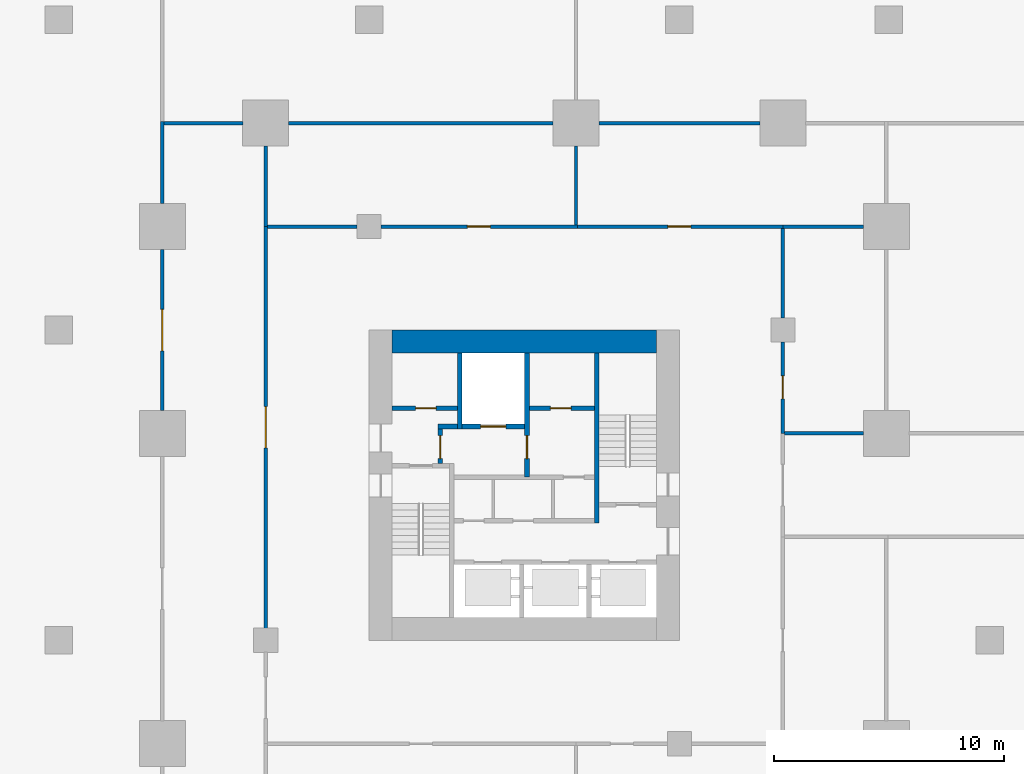
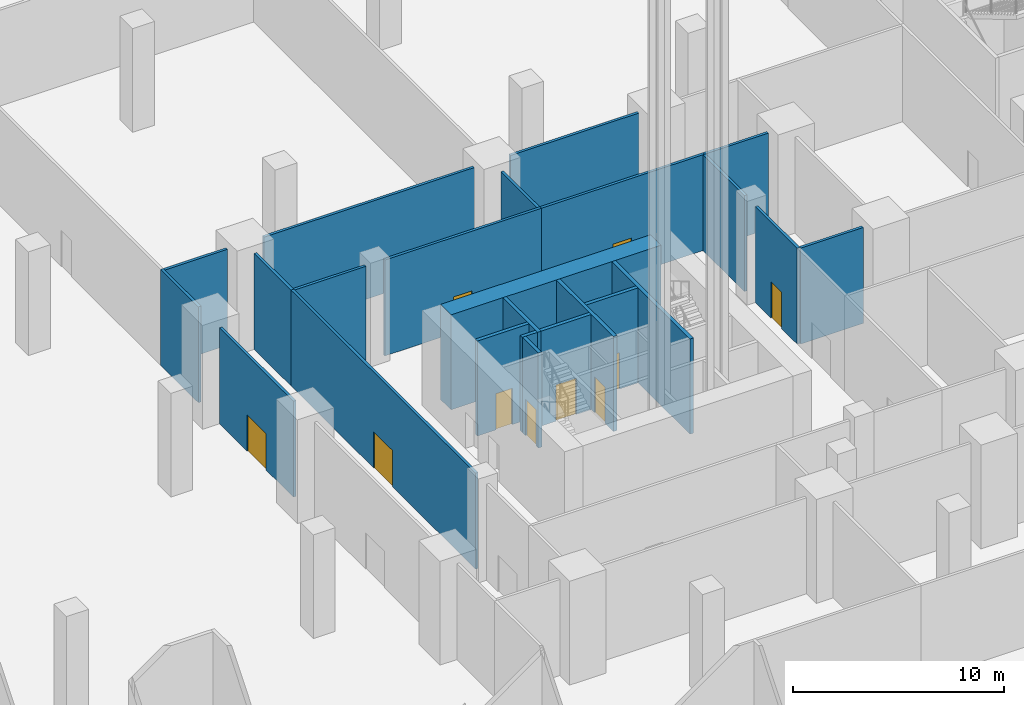
# One storey, part 29 of 68: 24 walls, 10 doors, 10 openings.
"""IFC4 building model written with IfcOpenShell, lengths in metres."""

from ifc_helpers import new_model, si_unit, direction, frame, frame_2d, origin, place, context, subcontext, project, spatial, rectangle, extrude, material, layer, layer_set, type_object, element, fill, save


model = new_model("IFC4")

# Units and contexts
model_context = context("Model", 3, precision=1e-05, world=origin(), true_north=direction((0.0, 1.0)))
body_context = subcontext(model_context, "Body", "Model", "MODEL_VIEW")
ifc_project = project(units=[si_unit("LENGTHUNIT", "METRE"), si_unit("AREAUNIT", "SQUARE_METRE"), si_unit("VOLUMEUNIT", "CUBIC_METRE"), si_unit("PLANEANGLEUNIT", "RADIAN"), si_unit("MASSUNIT", "GRAM", prefix="KILO")], contexts=[model_context])

# Site, building, storey
site_placement = place(None, origin())
site = spatial("IfcSite", under=ifc_project, at=site_placement, CompositionType="ELEMENT")
building_placement = place(site_placement, origin())
building = spatial("IfcBuilding", under=site, at=building_placement, Name="Altepetl Exchange Towers", CompositionType="ELEMENT")
storey_placement = place(building_placement, origin())
storey = spatial("IfcBuildingStorey", under=building, at=storey_placement, Name="L00 Ground concourse", CompositionType="ELEMENT", Elevation=0.0)

# Walls
ifc_material_1 = material(Name="Concrete C70/85", Category="concrete")
ifc_layer_1 = layer(ifc_material_1, 1.0)
ifc_layer_set_1 = layer_set([ifc_layer_1], Name="Concrete C70/85")
wall_type_1 = type_object("IfcWallType", Name="Core wall 1000 reinforced concrete", PredefinedType="SHEAR", material=ifc_layer_set_1)
wall_1_placement = place(storey_placement, frame((104.5, 49.0, 0.0)))
element("IfcWall", 1, at=wall_1_placement, inside=storey, type_object=wall_type_1, Name="wall:B:L00:K-coreN", PredefinedType="SHEAR", context=body_context, shape_type="SweptSolid", body=[
    extrude(rectangle(XDim=11.5, YDim=1.0, at=frame_2d((5.75, 0.0))), origin(), (0.0, 0.0, 1.0), 5.5),
])
ifc_material_2 = material(Name="Concrete blockwork", Category="masonry")
ifc_layer_2 = layer(ifc_material_2, 0.199951171875)
ifc_layer_set_2 = layer_set([ifc_layer_2], Name="Concrete blockwork")
wall_type_2 = type_object("IfcWallType", Name="Lobby wall 200 blockwork", PredefinedType="PARTITIONING", material=ifc_layer_set_2)
wall_2_placement = place(storey_placement, frame((106.5, 45.300048828125, 0.0)))
element("IfcWall", 2, at=wall_2_placement, inside=storey, type_object=wall_type_2, Name="wall:B:L00:K-ffNw", PredefinedType="PARTITIONING", context=body_context, shape_type="SweptSolid", body=[
    extrude(rectangle(XDim=0.833251953125, YDim=0.199951171875, at=frame_2d((0.41650390625, 0.0))), origin(), (0.0, 0.0, 1.0), 5.5),
])

# Wall, opening, door
wall_3_placement = place(storey_placement, frame((106.60009765625, 43.699951171875, 0.0), z_axis=(0.0, 0.0, 1.0), x_axis=(0.0, 1.0, 0.0)))
wall_3 = element("IfcWall", 3, at=wall_3_placement, inside=storey, type_object=wall_type_2, Name="wall:B:L00:K-ffW", PredefinedType="PARTITIONING", context=body_context, shape_type="SweptSolid", body=[
    extrude(rectangle(XDim=1.5, YDim=0.199951171875, at=frame_2d((0.75, 0.0))), origin(), (0.0, 0.0, 1.0), 5.5),
])
opening_1_placement = place(wall_3_placement, frame((0.199951171875, 0.0, 0.0)))
opening_1 = element("IfcOpeningElement", 4, at=opening_1_placement, cuts=wall_3, Name="Opening L00.B67", PredefinedType="OPENING", context=body_context, shape_type="SweptSolid", body=[
    extrude(rectangle(XDim=1.0, YDim=2.10009765625, at=frame_2d((0.5, 1.050048828125))), frame((0.0, 0.10986328125, 0.0), z_axis=(0.0, -1.0, 0.0), x_axis=(1.0, 0.0, 0.0)), (0.0, 0.0, 1.0), 0.219970703125),
])
ifc_material_3 = material(Name="Steel and timber fire door", Category="steel")
door_type_1 = type_object("IfcDoorType", Name="Fire door 1000 x 2100 stair and lobby", OperationType="SINGLE_SWING_LEFT", PredefinedType="DOOR", material=ifc_material_3)
door_1_placement = place(opening_1_placement, frame((1.0, 0.0, 0.0), x_axis=(-1.0, 0.0, 0.0)))
door_1 = element("IfcDoor", 5, at=door_1_placement, inside=storey, type_object=door_type_1, Name="door:B:L00:K-dffW", OperationType="SINGLE_SWING_LEFT", OverallHeight=2.10009765625, OverallWidth=1.0, PredefinedType="DOOR", context=body_context, shape_type="SweptSolid", body=[
    extrude(rectangle(XDim=1.0, YDim=2.10009765625, at=frame_2d((0.5, 1.050048828125))), frame((0.0, 0.02490234375, 0.0), z_axis=(0.0, -1.0, 0.0), x_axis=(1.0, 0.0, 0.0)), (0.0, 0.0, 1.0), 0.050048828125),
])
fill(opening_1, door_1)

ifc_material_4 = material(Name="Gypsum board on steel studs", Category="steel")
ifc_layer_3 = layer(ifc_material_4, 0.14990234375)
ifc_layer_set_3 = layer_set([ifc_layer_3], Name="Gypsum board on steel studs")
wall_type_3 = type_object("IfcWallType", Name="Podium partition 150", PredefinedType="PARTITIONING", material=ifc_layer_set_3)
wall_4_placement = place(storey_placement, frame((94.5, 45.9951171875, 0.0), z_axis=(0.0, 0.0, 1.0), x_axis=(0.0, 1.0, 0.0)))
wall_4 = element("IfcWall", 6, at=wall_4_placement, inside=storey, type_object=wall_type_3, Name="wall:P:L00:P025", PredefinedType="PARTITIONING", context=body_context, shape_type="SweptSolid", body=[
    extrude(rectangle(XDim=7.009765625, YDim=0.14990234375, at=frame_2d((3.5048828125, 0.0))), origin(), (0.0, 0.0, 1.0), 5.550048828125),
])
opening_2_placement = place(wall_4_placement, frame((2.60009765625, 0.0, 0.0)))
opening_2 = element("IfcOpeningElement", 7, at=opening_2_placement, cuts=wall_4, Name="Opening L00.P073", PredefinedType="OPENING", context=body_context, shape_type="SweptSolid", body=[
    extrude(rectangle(XDim=1.800048828125, YDim=2.10009765625, at=frame_2d((0.89990234375, 1.050048828125))), frame((0.0, 0.0849609375, 0.0), z_axis=(0.0, -1.0, 0.0), x_axis=(1.0, 0.0, 0.0)), (0.0, 0.0, 1.0), 0.169921875),
])
ifc_material_5 = material(Name="Glazed aluminium and steel", Category="steel")
door_type_2 = type_object("IfcDoorType", Name="Podium fire door 1800 x 2100 double leaf", OperationType="DOUBLE_DOOR_SINGLE_SWING", PredefinedType="DOOR", material=ifc_material_5)
door_2_placement = place(opening_2_placement, frame((1.800048828125, 0.0, 0.0), x_axis=(-1.0, 0.0, 0.0)))
door_2 = element("IfcDoor", 8, at=door_2_placement, inside=storey, type_object=door_type_2, Name="door:P:L00:073", OperationType="DOUBLE_DOOR_SINGLE_SWING", OverallHeight=2.10009765625, OverallWidth=1.800048828125, PredefinedType="DOOR", context=body_context, shape_type="SweptSolid", body=[
    extrude(rectangle(XDim=1.800048828125, YDim=2.10009765625, at=frame_2d((0.89990234375, 1.050048828125))), frame((0.0, 0.02490234375, 0.0), z_axis=(0.0, -1.0, 0.0), x_axis=(1.0, 0.0, 0.0)), (0.0, 0.0, 1.0), 0.050048828125),
])
fill(opening_2, door_2)

# Wall
wall_5_placement = place(storey_placement, frame((94.5, 54.9951171875, 0.0), z_axis=(0.0, 0.0, 1.0), x_axis=(0.0, 1.0, 0.0)))
element("IfcWall", 9, at=wall_5_placement, inside=storey, type_object=wall_type_3, Name="wall:P:L00:P026", PredefinedType="PARTITIONING", context=body_context, shape_type="SweptSolid", body=[
    extrude(rectangle(XDim=3.579833984375, YDim=0.14990234375, at=frame_2d((1.7900390625, 0.0))), origin(), (0.0, 0.0, 1.0), 5.550048828125),
])

# Wall, opening, door
wall_6_placement = place(storey_placement, frame((99.0, 36.52001953125, 0.0), z_axis=(0.0, 0.0, 1.0), x_axis=(0.0, 1.0, 0.0)))
wall_6 = element("IfcWall", 10, at=wall_6_placement, inside=storey, type_object=wall_type_3, Name="wall:P:L00:P180", PredefinedType="PARTITIONING", context=body_context, shape_type="SweptSolid", body=[
    extrude(rectangle(XDim=17.554931640625, YDim=0.14990234375, at=frame_2d((8.77734375, 0.0))), origin(), (0.0, 0.0, 1.0), 5.550048828125),
])
opening_3_placement = place(wall_6_placement, frame((7.85009765625, 0.0, 0.0)))
opening_3 = element("IfcOpeningElement", 11, at=opening_3_placement, cuts=wall_6, Name="Opening L00.P087", PredefinedType="OPENING", context=body_context, shape_type="SweptSolid", body=[
    extrude(rectangle(XDim=1.800048828125, YDim=2.10009765625, at=frame_2d((0.89990234375, 1.050048828125))), frame((0.0, 0.0849609375, 0.0), z_axis=(0.0, -1.0, 0.0), x_axis=(1.0, 0.0, 0.0)), (0.0, 0.0, 1.0), 0.169921875),
])
door_3_placement = place(opening_3_placement, origin())
door_3 = element("IfcDoor", 12, at=door_3_placement, inside=storey, type_object=door_type_2, Name="door:P:L00:087", OperationType="DOUBLE_DOOR_SINGLE_SWING", OverallHeight=2.10009765625, OverallWidth=1.800048828125, PredefinedType="DOOR", context=body_context, shape_type="SweptSolid", body=[
    extrude(rectangle(XDim=1.800048828125, YDim=2.10009765625, at=frame_2d((0.89990234375, 1.050048828125))), frame((0.0, 0.02490234375, 0.0), z_axis=(0.0, -1.0, 0.0), x_axis=(1.0, 0.0, 0.0)), (0.0, 0.0, 1.0), 0.050048828125),
])
fill(opening_3, door_3)

# Walls
wall_7_placement = place(storey_placement, frame((99.0, 54.0, 0.0), z_axis=(0.0, 0.0, 1.0), x_axis=(0.0, 1.0, 0.0)))
element("IfcWall", 13, at=wall_7_placement, inside=storey, type_object=wall_type_3, Name="wall:P:L00:P182", PredefinedType="PARTITIONING", context=body_context, shape_type="SweptSolid", body=[
    extrude(rectangle(XDim=3.5048828125, YDim=0.14990234375, at=frame_2d((1.75244140625, 0.0))), origin(), (0.0, 0.0, 1.0), 5.550048828125),
])
wall_8_placement = place(storey_placement, frame((94.574951171875, 58.5, 0.0)))
element("IfcWall", 14, at=wall_8_placement, inside=storey, type_object=wall_type_3, Name="wall:P:L00:P184", PredefinedType="PARTITIONING", context=body_context, shape_type="SweptSolid", body=[
    extrude(rectangle(XDim=3.429931640625, YDim=0.14990234375, at=frame_2d((1.71484375, 0.0))), origin(), (0.0, 0.0, 1.0), 5.550048828125),
])
wall_9_placement = place(storey_placement, frame((99.074951171875, 54.0, 0.0)))
element("IfcWall", 15, at=wall_9_placement, inside=storey, type_object=wall_type_3, Name="wall:P:L00:P188", PredefinedType="PARTITIONING", context=body_context, shape_type="SweptSolid", body=[
    extrude(rectangle(XDim=3.905029296875, YDim=0.14990234375, at=frame_2d((1.95263671875, 0.0))), origin(), (0.0, 0.0, 1.0), 5.550048828125),
])

# Wall, opening, door
wall_10_placement = place(storey_placement, frame((104.02001953125, 54.0, 0.0)))
wall_10 = element("IfcWall", 16, at=wall_10_placement, inside=storey, type_object=wall_type_3, Name="wall:P:L00:P189", PredefinedType="PARTITIONING", context=body_context, shape_type="SweptSolid", body=[
    extrude(rectangle(XDim=8.554931640625, YDim=0.14990234375, at=frame_2d((4.27734375, 0.0))), origin(), (0.0, 0.0, 1.0), 5.550048828125),
])
opening_4_placement = place(wall_10_placement, frame((3.75, 0.0, 0.0)))
opening_4 = element("IfcOpeningElement", 17, at=opening_4_placement, cuts=wall_10, Name="Opening L00.P032", PredefinedType="OPENING", context=body_context, shape_type="SweptSolid", body=[
    extrude(rectangle(XDim=1.0, YDim=2.10009765625, at=frame_2d((0.5, 1.050048828125))), frame((0.0, 0.0849609375, 0.0), z_axis=(0.0, -1.0, 0.0), x_axis=(1.0, 0.0, 0.0)), (0.0, 0.0, 1.0), 0.169921875),
])
door_type_3 = type_object("IfcDoorType", Name="Podium fire door 1000 x 2100 single leaf", OperationType="SINGLE_SWING_LEFT", PredefinedType="DOOR", material=ifc_material_3)
door_4_placement = place(opening_4_placement, origin())
door_4 = element("IfcDoor", 18, at=door_4_placement, inside=storey, type_object=door_type_3, Name="door:P:L00:032", OperationType="SINGLE_SWING_RIGHT", OverallHeight=2.10009765625, OverallWidth=1.0, PredefinedType="DOOR", context=body_context, shape_type="SweptSolid", body=[
    extrude(rectangle(XDim=1.0, YDim=2.10009765625, at=frame_2d((0.5, 1.050048828125))), frame((0.0, 0.02490234375, 0.0), z_axis=(0.0, -1.0, 0.0), x_axis=(1.0, 0.0, 0.0)), (0.0, 0.0, 1.0), 0.050048828125),
])
fill(opening_4, door_4)

wall_11_placement = place(storey_placement, frame((112.5, 54.0, 0.0)))
wall_11 = element("IfcWall", 19, at=wall_11_placement, inside=storey, type_object=wall_type_3, Name="wall:P:L00:P190", PredefinedType="PARTITIONING", context=body_context, shape_type="SweptSolid", body=[
    extrude(rectangle(XDim=9.074951171875, YDim=0.14990234375, at=frame_2d((4.53759765625, 0.0))), origin(), (0.0, 0.0, 1.0), 5.550048828125),
])
opening_5_placement = place(wall_11_placement, frame((4.0, 0.0, 0.0)))
opening_5 = element("IfcOpeningElement", 20, at=opening_5_placement, cuts=wall_11, Name="Opening L00.P033", PredefinedType="OPENING", context=body_context, shape_type="SweptSolid", body=[
    extrude(rectangle(XDim=1.0, YDim=2.10009765625, at=frame_2d((0.5, 1.050048828125))), frame((0.0, 0.0849609375, 0.0), z_axis=(0.0, -1.0, 0.0), x_axis=(1.0, 0.0, 0.0)), (0.0, 0.0, 1.0), 0.169921875),
])
door_5_placement = place(opening_5_placement, origin())
door_5 = element("IfcDoor", 21, at=door_5_placement, inside=storey, type_object=door_type_3, Name="door:P:L00:033", OperationType="SINGLE_SWING_RIGHT", OverallHeight=2.10009765625, OverallWidth=1.0, PredefinedType="DOOR", context=body_context, shape_type="SweptSolid", body=[
    extrude(rectangle(XDim=1.0, YDim=2.10009765625, at=frame_2d((0.5, 1.050048828125))), frame((0.0, 0.02490234375, 0.0), z_axis=(0.0, -1.0, 0.0), x_axis=(1.0, 0.0, 0.0)), (0.0, 0.0, 1.0), 0.050048828125),
])
fill(opening_5, door_5)

wall_12_placement = place(storey_placement, frame((121.5, 45.0, 0.0), z_axis=(0.0, 0.0, 1.0), x_axis=(0.0, 1.0, 0.0)))
wall_12 = element("IfcWall", 22, at=wall_12_placement, inside=storey, type_object=wall_type_3, Name="wall:P:L00:P193", PredefinedType="PARTITIONING", context=body_context, shape_type="SweptSolid", body=[
    extrude(rectangle(XDim=3.97998046875, YDim=0.14990234375, at=frame_2d((1.989990234375, 0.0))), origin(), (0.0, 0.0, 1.0), 5.550048828125),
])
opening_6_placement = place(wall_12_placement, frame((1.5, 0.0, 0.0)))
opening_6 = element("IfcOpeningElement", 23, at=opening_6_placement, cuts=wall_12, Name="Opening L00.P035", PredefinedType="OPENING", context=body_context, shape_type="SweptSolid", body=[
    extrude(rectangle(XDim=1.0, YDim=2.10009765625, at=frame_2d((0.5, 1.050048828125))), frame((0.0, 0.0849609375, 0.0), z_axis=(0.0, -1.0, 0.0), x_axis=(1.0, 0.0, 0.0)), (0.0, 0.0, 1.0), 0.169921875),
])
door_6_placement = place(opening_6_placement, frame((1.0, 0.0, 0.0), x_axis=(-1.0, 0.0, 0.0)))
door_6 = element("IfcDoor", 24, at=door_6_placement, inside=storey, type_object=door_type_3, Name="door:P:L00:035", OperationType="SINGLE_SWING_LEFT", OverallHeight=2.10009765625, OverallWidth=1.0, PredefinedType="DOOR", context=body_context, shape_type="SweptSolid", body=[
    extrude(rectangle(XDim=1.0, YDim=2.10009765625, at=frame_2d((0.5, 1.050048828125))), frame((0.0, 0.02490234375, 0.0), z_axis=(0.0, -1.0, 0.0), x_axis=(1.0, 0.0, 0.0)), (0.0, 0.0, 1.0), 0.050048828125),
])
fill(opening_6, door_6)

# Walls
wall_13_placement = place(storey_placement, frame((121.5, 50.02001953125, 0.0), z_axis=(0.0, 0.0, 1.0), x_axis=(0.0, 1.0, 0.0)))
element("IfcWall", 25, at=wall_13_placement, inside=storey, type_object=wall_type_3, Name="wall:P:L00:P194", PredefinedType="PARTITIONING", context=body_context, shape_type="SweptSolid", body=[
    extrude(rectangle(XDim=3.905029296875, YDim=0.14990234375, at=frame_2d((1.95263671875, 0.0))), origin(), (0.0, 0.0, 1.0), 5.550048828125),
])
wall_14_placement = place(storey_placement, frame((112.5, 54.074951171875, 0.0), z_axis=(0.0, 0.0, 1.0), x_axis=(0.0, 1.0, 0.0)))
element("IfcWall", 26, at=wall_14_placement, inside=storey, type_object=wall_type_3, Name="wall:P:L00:P201", PredefinedType="PARTITIONING", context=body_context, shape_type="SweptSolid", body=[
    extrude(rectangle(XDim=3.429931640625, YDim=0.14990234375, at=frame_2d((1.71484375, 0.0))), origin(), (0.0, 0.0, 1.0), 5.550048828125),
])
wall_15_placement = place(storey_placement, frame((99.9951171875, 58.5, 0.0)))
element("IfcWall", 27, at=wall_15_placement, inside=storey, type_object=wall_type_3, Name="wall:P:L00:P202", PredefinedType="PARTITIONING", context=body_context, shape_type="SweptSolid", body=[
    extrude(rectangle(XDim=11.509765625, YDim=0.14990234375, at=frame_2d((5.7548828125, 0.0))), origin(), (0.0, 0.0, 1.0), 5.550048828125),
])
wall_16_placement = place(storey_placement, frame((121.5, 54.0, 0.0)))
element("IfcWall", 28, at=wall_16_placement, inside=storey, type_object=wall_type_3, Name="wall:P:L00:P203", PredefinedType="PARTITIONING", context=body_context, shape_type="SweptSolid", body=[
    extrude(rectangle(XDim=3.5048828125, YDim=0.14990234375, at=frame_2d((1.75244140625, 0.0))), origin(), (0.0, 0.0, 1.0), 5.550048828125),
])
wall_17_placement = place(storey_placement, frame((113.4951171875, 58.5, 0.0)))
element("IfcWall", 29, at=wall_17_placement, inside=storey, type_object=wall_type_3, Name="wall:P:L00:P205", PredefinedType="PARTITIONING", context=body_context, shape_type="SweptSolid", body=[
    extrude(rectangle(XDim=7.009765625, YDim=0.14990234375, at=frame_2d((3.5048828125, 0.0))), origin(), (0.0, 0.0, 1.0), 5.550048828125),
])
wall_18_placement = place(storey_placement, frame((121.574951171875, 45.0, 0.0)))
element("IfcWall", 30, at=wall_18_placement, inside=storey, type_object=wall_type_3, Name="wall:P:L00:P209", PredefinedType="PARTITIONING", context=body_context, shape_type="SweptSolid", body=[
    extrude(rectangle(XDim=3.429931640625, YDim=0.14990234375, at=frame_2d((1.71484375, 0.0))), origin(), (0.0, 0.0, 1.0), 5.550048828125),
])
ifc_material_6 = material(Name="Concrete C40/50", Category="concrete")
ifc_layer_4 = layer(ifc_material_6, 0.199951171875)
ifc_layer_set_4 = layer_set([ifc_layer_4], Name="Concrete C40/50")
wall_type_4 = type_object("IfcWallType", Name="Shaft wall 200 reinforced concrete", PredefinedType="SHEAR", material=ifc_layer_set_4)
wall_19_placement = place(storey_placement, frame((107.433349609375, 48.5, 0.0), z_axis=(0.0, 0.0, 1.0), x_axis=(0.0, -1.0, 0.0)))
element("IfcWall", 31, at=wall_19_placement, inside=storey, type_object=wall_type_4, Name="wall:B:L00:K-divN1", PredefinedType="SHEAR", context=body_context, shape_type="SweptSolid", body=[
    extrude(rectangle(XDim=3.300048828125, YDim=0.199951171875, at=frame_2d((1.64990234375, 0.0))), origin(), (0.0, 0.0, 1.0), 5.5),
])

# Wall, opening, door
wall_20_placement = place(storey_placement, frame((110.36669921875, 48.5, 0.0), z_axis=(0.0, 0.0, 1.0), x_axis=(0.0, -1.0, 0.0)))
wall_20 = element("IfcWall", 32, at=wall_20_placement, inside=storey, type_object=wall_type_4, Name="wall:B:L00:K-divN2", PredefinedType="SHEAR", context=body_context, shape_type="SweptSolid", body=[
    extrude(rectangle(XDim=5.39990234375, YDim=0.199951171875, at=frame_2d((2.699951171875, 0.0))), origin(), (0.0, 0.0, 1.0), 5.5),
])
opening_7_placement = place(wall_20_placement, frame((3.60009765625, 0.0, 0.0)))
opening_7 = element("IfcOpeningElement", 33, at=opening_7_placement, cuts=wall_20, Name="Opening L00.B66", PredefinedType="OPENING", context=body_context, shape_type="SweptSolid", body=[
    extrude(rectangle(XDim=1.0, YDim=2.10009765625, at=frame_2d((0.5, 1.050048828125))), frame((0.0, 0.10986328125, 0.0), z_axis=(0.0, -1.0, 0.0), x_axis=(1.0, 0.0, 0.0)), (0.0, 0.0, 1.0), 0.219970703125),
])
door_7_placement = place(opening_7_placement, frame((1.0, 0.0, 0.0), x_axis=(-1.0, 0.0, 0.0)))
door_7 = element("IfcDoor", 34, at=door_7_placement, inside=storey, type_object=door_type_1, Name="door:B:L00:K-dffE", OperationType="SINGLE_SWING_RIGHT", OverallHeight=2.10009765625, OverallWidth=1.0, PredefinedType="DOOR", context=body_context, shape_type="SweptSolid", body=[
    extrude(rectangle(XDim=1.0, YDim=2.10009765625, at=frame_2d((0.5, 1.050048828125))), frame((0.0, 0.02490234375, 0.0), z_axis=(0.0, -1.0, 0.0), x_axis=(1.0, 0.0, 0.0)), (0.0, 0.0, 1.0), 0.050048828125),
])
fill(opening_7, door_7)

wall_21_placement = place(storey_placement, frame((104.5, 46.10009765625, 0.0)))
wall_21 = element("IfcWall", 35, at=wall_21_placement, inside=storey, type_object=wall_type_4, Name="wall:B:L00:K-frontNa", PredefinedType="SHEAR", context=body_context, shape_type="SweptSolid", body=[
    extrude(rectangle(XDim=2.833251953125, YDim=0.199951171875, at=frame_2d((1.41650390625, 0.0))), origin(), (0.0, 0.0, 1.0), 5.5),
])
opening_8_placement = place(wall_21_placement, frame((1.0166015625, 0.0, 0.0)))
opening_8 = element("IfcOpeningElement", 36, at=opening_8_placement, cuts=wall_21, Name="Opening L00.B68", PredefinedType="OPENING", context=body_context, shape_type="SweptSolid", body=[
    extrude(rectangle(XDim=0.89990234375, YDim=2.10009765625, at=frame_2d((0.449951171875, 1.050048828125))), frame((0.0, 0.10986328125, 0.0), z_axis=(0.0, -1.0, 0.0), x_axis=(1.0, 0.0, 0.0)), (0.0, 0.0, 1.0), 0.219970703125),
])
door_type_4 = type_object("IfcDoorType", Name="Fire door 900 x 2100 service room", OperationType="SINGLE_SWING_LEFT", PredefinedType="DOOR", material=ifc_material_3)
door_8_placement = place(opening_8_placement, origin())
door_8 = element("IfcDoor", 37, at=door_8_placement, inside=storey, type_object=door_type_4, Name="door:B:L00:K-dslotN0", OperationType="SINGLE_SWING_RIGHT", OverallHeight=2.10009765625, OverallWidth=0.89990234375, PredefinedType="DOOR", context=body_context, shape_type="SweptSolid", body=[
    extrude(rectangle(XDim=0.89990234375, YDim=2.10009765625, at=frame_2d((0.449951171875, 1.050048828125))), frame((0.0, 0.02490234375, 0.0), z_axis=(0.0, -1.0, 0.0), x_axis=(1.0, 0.0, 0.0)), (0.0, 0.0, 1.0), 0.050048828125),
])
fill(opening_8, door_8)

wall_22_placement = place(storey_placement, frame((110.466796875, 46.10009765625, 0.0)))
wall_22 = element("IfcWall", 38, at=wall_22_placement, inside=storey, type_object=wall_type_4, Name="wall:B:L00:K-frontNb", PredefinedType="SHEAR", context=body_context, shape_type="SweptSolid", body=[
    extrude(rectangle(XDim=2.833251953125, YDim=0.199951171875, at=frame_2d((1.41650390625, 0.0))), origin(), (0.0, 0.0, 1.0), 5.5),
])
opening_9_placement = place(wall_22_placement, frame((0.91650390625, 0.0, 0.0)))
opening_9 = element("IfcOpeningElement", 39, at=opening_9_placement, cuts=wall_22, Name="Opening L00.B69", PredefinedType="OPENING", context=body_context, shape_type="SweptSolid", body=[
    extrude(rectangle(XDim=0.89990234375, YDim=2.10009765625, at=frame_2d((0.449951171875, 1.050048828125))), frame((0.0, 0.10986328125, 0.0), z_axis=(0.0, -1.0, 0.0), x_axis=(1.0, 0.0, 0.0)), (0.0, 0.0, 1.0), 0.219970703125),
])
door_9_placement = place(opening_9_placement, origin())
door_9 = element("IfcDoor", 40, at=door_9_placement, inside=storey, type_object=door_type_4, Name="door:B:L00:K-dslotN2", OperationType="SINGLE_SWING_RIGHT", OverallHeight=2.10009765625, OverallWidth=0.89990234375, PredefinedType="DOOR", context=body_context, shape_type="SweptSolid", body=[
    extrude(rectangle(XDim=0.89990234375, YDim=2.10009765625, at=frame_2d((0.449951171875, 1.050048828125))), frame((0.0, 0.02490234375, 0.0), z_axis=(0.0, -1.0, 0.0), x_axis=(1.0, 0.0, 0.0)), (0.0, 0.0, 1.0), 0.050048828125),
])
fill(opening_9, door_9)

wall_23_placement = place(storey_placement, frame((107.533203125, 45.300048828125, 0.0)))
wall_23 = element("IfcWall", 41, at=wall_23_placement, inside=storey, type_object=wall_type_4, Name="wall:B:L00:K-frontNd", PredefinedType="SHEAR", context=body_context, shape_type="SweptSolid", body=[
    extrude(rectangle(XDim=2.7333984375, YDim=0.199951171875, at=frame_2d((1.36669921875, 0.0))), origin(), (0.0, 0.0, 1.0), 5.5),
])
opening_10_placement = place(wall_23_placement, frame((0.816650390625, 0.0, 0.0)))
opening_10 = element("IfcOpeningElement", 42, at=opening_10_placement, cuts=wall_23, Name="Opening L00.B73", PredefinedType="OPENING", context=body_context, shape_type="SweptSolid", body=[
    extrude(rectangle(XDim=1.10009765625, YDim=2.10009765625, at=frame_2d((0.550048828125, 1.050048828125))), frame((0.0, 0.10986328125, 0.0), z_axis=(0.0, -1.0, 0.0), x_axis=(1.0, 0.0, 0.0)), (0.0, 0.0, 1.0), 0.219970703125),
])
ifc_material_7 = material(Name="Stainless steel", Category="steel")
door_type_5 = type_object("IfcDoorType", Name="Lift landing door 1100 x 2100", OperationType="SLIDING_TO_LEFT", PredefinedType="DOOR", material=ifc_material_7)
door_10_placement = place(opening_10_placement, origin())
door_10 = element("IfcDoor", 43, at=door_10_placement, inside=storey, type_object=door_type_5, Name="Landing door FFL1", OperationType="SLIDING_TO_LEFT", OverallHeight=2.10009765625, OverallWidth=1.10009765625, PredefinedType="DOOR", context=body_context, shape_type="SweptSolid", body=[
    extrude(rectangle(XDim=1.10009765625, YDim=2.10009765625, at=frame_2d((0.550048828125, 1.050048828125))), frame((0.0, 0.02490234375, 0.0), z_axis=(0.0, -1.0, 0.0), x_axis=(1.0, 0.0, 0.0)), (0.0, 0.0, 1.0), 0.050048828125),
])
fill(opening_10, door_10)

# Wall
ifc_layer_5 = layer(ifc_material_6, 0.199951171875)
ifc_layer_set_5 = layer_set([ifc_layer_5], Name="Concrete C40/50")
wall_type_5 = type_object("IfcWallType", Name="Stair wall 200 reinforced concrete", PredefinedType="SHEAR", material=ifc_layer_set_5)
wall_24_placement = place(storey_placement, frame((113.39990234375, 41.10009765625, 0.0), z_axis=(0.0, 0.0, 1.0), x_axis=(0.0, 1.0, 0.0)))
element("IfcWall", 44, at=wall_24_placement, inside=storey, type_object=wall_type_5, Name="wall:B:L00:K-stS2W", PredefinedType="SHEAR", context=body_context, shape_type="SweptSolid", body=[
    extrude(rectangle(XDim=7.39990234375, YDim=0.199951171875, at=frame_2d((3.699951171875, 0.0))), origin(), (0.0, 0.0, 1.0), 5.5),
])

save(model, "model.ifc")
